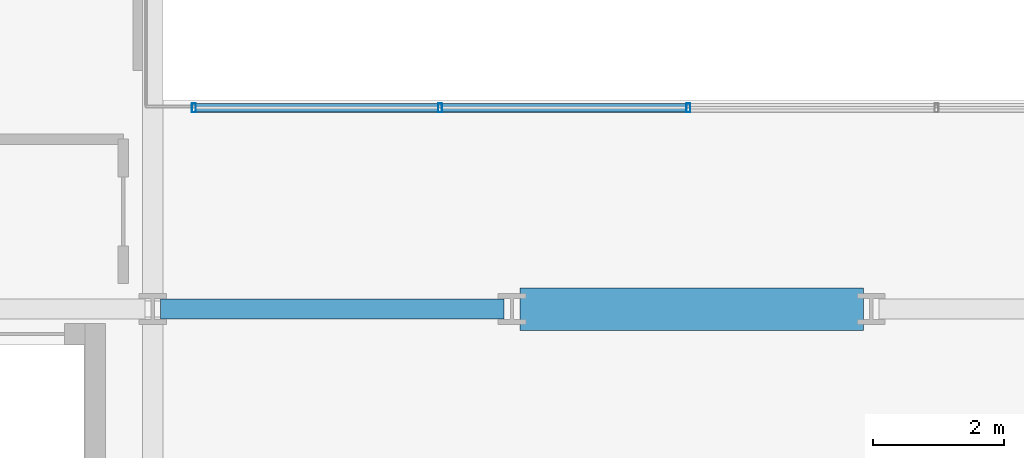
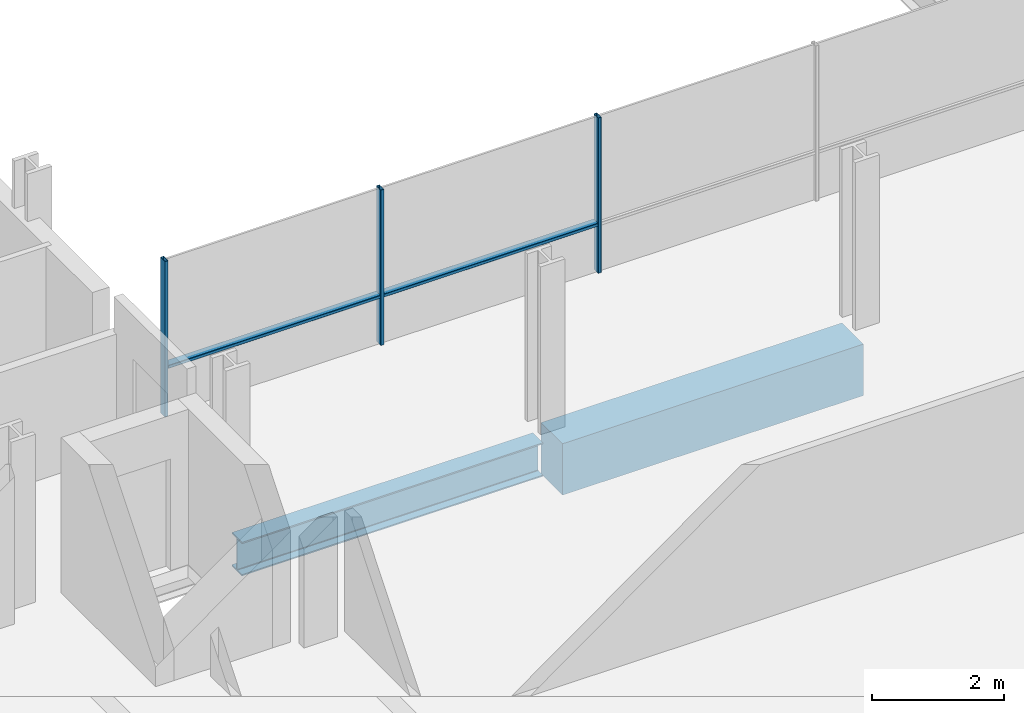
# One storey, part 4 of 38: 5 members, 2 beams, 1 element without a shape of its own.
"""IFC4 building model written with IfcOpenShell, lengths in metres."""

from ifc_helpers import new_model, si_unit, direction, frame, origin, origin_2d, place, context, subcontext, project, spatial, rectangle, hollow_rectangle, i_section, extrude, material, layer, layer_set, material_profile, profile_set, type_object, element, aggregate, save


model = new_model("IFC4")

# Units and contexts
model_context = context("Model", 3, precision=1e-05, world=origin(), true_north=direction((0.0, 1.0)))
body_context = subcontext(model_context, "Body", "Model", "MODEL_VIEW")
ifc_project = project(units=[si_unit("LENGTHUNIT", "METRE"), si_unit("AREAUNIT", "SQUARE_METRE"), si_unit("VOLUMEUNIT", "CUBIC_METRE"), si_unit("PLANEANGLEUNIT", "RADIAN"), si_unit("MASSUNIT", "GRAM", prefix="KILO")], contexts=[model_context])

# Site, building, storey
site_placement = place(None, origin())
site = spatial("IfcSite", under=ifc_project, at=site_placement, CompositionType="ELEMENT")
building_placement = place(site_placement, origin())
building = spatial("IfcBuilding", under=site, at=building_placement, Name="Brevholm Reach", CompositionType="ELEMENT")
storey_placement = place(building_placement, frame((0.0, 0.0, 46.60009765625)))
storey = spatial("IfcBuildingStorey", under=building, at=storey_placement, Name="L12", CompositionType="ELEMENT", Elevation=46.60009765625)

# Beams
ifc_material_1 = material(Name="Concrete C60/75", Category="concrete")
ifc_material_profile_1 = material_profile(ifc_material_1, rectangle(XDim=0.64990234375, YDim=0.949951171875, at=origin_2d()), Name="RC 650x950")
ifc_profile_set_1 = profile_set([ifc_material_profile_1], Name="Concrete C60/75")
beam_type_1 = type_object("IfcBeamType", Name="BM-CB650", PredefinedType="LINTEL", material=ifc_profile_set_1)
beam_1_placement = place(storey_placement, frame((27.3701171875, 10.0, -0.705078125), z_axis=(1.0, 0.0, 0.0), x_axis=(0.0, 1.0, 0.0)))
element("IfcBeam", 1, at=beam_1_placement, inside=storey, type_object=beam_type_1, Name="L12 CB-01 Framing Beam", PredefinedType="LINTEL", context=body_context, shape_type="SweptSolid", body=[
    extrude(rectangle(XDim=0.64990234375, YDim=0.949951171875, at=origin_2d()), origin(), (0.0, 0.0, 1.0), 5.259765625),
])
ifc_material_2 = material(Name="Structural Steel S355J2", Category="steel")
ifc_material_profile_2 = material_profile(ifc_material_2, i_section(OverallWidth=0.30712890625, OverallDepth=0.6201171875, WebThickness=0.01416015625, FlangeThickness=0.023681640625, FilletRadius=0.0166015625, at=origin_2d()), Name="UKB 610x305x179")
ifc_profile_set_2 = profile_set([ifc_material_profile_2], Name="Structural Steel S355J2")
beam_type_2 = type_object("IfcBeamType", Name="BM-UKB610H", PredefinedType="USERDEFINED", material=ifc_profile_set_2)
beam_2_placement = place(storey_placement, frame((21.8701171875, 10.0, -0.540283203125), z_axis=(1.0, 0.0, 0.0), x_axis=(0.0, 1.0, 0.0)))
element("IfcBeam", 2, at=beam_2_placement, inside=storey, type_object=beam_type_2, Name="L12 G-06 Framing Beam", ObjectType="GIRDER", PredefinedType="USERDEFINED", context=body_context, shape_type="SweptSolid", body=[
    extrude(i_section(OverallWidth=0.30712890625, OverallDepth=0.6201171875, WebThickness=0.01416015625, FlangeThickness=0.023681640625, FilletRadius=0.0166015625, at=origin_2d()), origin(), (0.0, 0.0, 1.0), 5.259765625),
])

# Curtain wall, members
ifc_material_3 = material(Name="Dark Anodised Aluminium 6063-T6 and Solar-Control Glass", Category="aluminium")
ifc_layer = layer(ifc_material_3, 0.139892578125)
ifc_layer_set = layer_set([ifc_layer], Name="Dark Anodised Aluminium 6063-T6 and Solar-Control Glass")
curtain_wall_type = type_object("IfcCurtainWallType", Name="CW-02", PredefinedType="NOTDEFINED", material=ifc_layer_set)
curtain_wall_placement = place(storey_placement, origin())
curtain_wall = element("IfcCurtainWall", 3, at=curtain_wall_placement, inside=storey, type_object=curtain_wall_type, Name="L12 Curtain Wall CW-02", PredefinedType="NOTDEFINED")
ifc_material_4 = material(Name="Dark Anodised Aluminium 6063-T6", Category="aluminium")
ifc_material_profile_3 = material_profile(ifc_material_4, hollow_rectangle(XDim=0.06005859375, YDim=0.139892578125, WallThickness=0.0048828125, InnerFilletRadius=0.0048828125, OuterFilletRadius=0.010009765625, at=origin_2d()), Name="RHS 140x60x5")
ifc_profile_set_3 = profile_set([ifc_material_profile_3], Name="Dark Anodised Aluminium 6063-T6")
member_type_1 = type_object("IfcMemberType", Name="CWM-140", PredefinedType="MULLION", material=ifc_profile_set_3)
member_1_placement = place(storey_placement, frame((22.3798828125, 13.080078125, 0.0), z_axis=(0.0, 0.0, 1.0), x_axis=(1.0, 0.0, 0.0)))
member_1 = element("IfcMember", 4, at=member_1_placement, type_object=member_type_1, Name="CM-140 Mullion 1", PredefinedType="MULLION", context=body_context, shape_type="SweptSolid", body=[
    extrude(hollow_rectangle(XDim=0.06005859375, YDim=0.139892578125, WallThickness=0.0048828125, InnerFilletRadius=0.0048828125, OuterFilletRadius=0.010009765625, at=origin_2d()), origin(), (0.0, 0.0, 1.0), 2.869873046875),
])
member_2_placement = place(storey_placement, frame((26.14990234375, 13.080078125, 0.0), z_axis=(0.0, 0.0, 1.0), x_axis=(1.0, 0.0, 0.0)))
member_2 = element("IfcMember", 5, at=member_2_placement, type_object=member_type_1, Name="CM-140 Mullion 2", PredefinedType="MULLION", context=body_context, shape_type="SweptSolid", body=[
    extrude(hollow_rectangle(XDim=0.06005859375, YDim=0.139892578125, WallThickness=0.0048828125, InnerFilletRadius=0.0048828125, OuterFilletRadius=0.010009765625, at=origin_2d()), origin(), (0.0, 0.0, 1.0), 2.869873046875),
])
member_3_placement = place(storey_placement, frame((29.949951171875, 13.080078125, 0.0), z_axis=(0.0, 0.0, 1.0), x_axis=(1.0, 0.0, 0.0)))
member_3 = element("IfcMember", 6, at=member_3_placement, type_object=member_type_1, Name="CM-140 Mullion 3", PredefinedType="MULLION", context=body_context, shape_type="SweptSolid", body=[
    extrude(hollow_rectangle(XDim=0.06005859375, YDim=0.139892578125, WallThickness=0.0048828125, InnerFilletRadius=0.0048828125, OuterFilletRadius=0.010009765625, at=origin_2d()), origin(), (0.0, 0.0, 1.0), 2.869873046875),
])
ifc_material_5 = material(Name="Dark Anodised Aluminium 6063-T6", Category="aluminium")
ifc_material_profile_4 = material_profile(ifc_material_5, hollow_rectangle(XDim=0.06005859375, YDim=0.139892578125, WallThickness=0.0048828125, InnerFilletRadius=0.0048828125, OuterFilletRadius=0.010009765625, at=origin_2d()), Name="RHS 140x60x5")
ifc_profile_set_4 = profile_set([ifc_material_profile_4], Name="Dark Anodised Aluminium 6063-T6")
member_type_2 = type_object("IfcMemberType", Name="CWT-140", PredefinedType="NOTDEFINED", material=ifc_profile_set_4)
member_4_placement = place(storey_placement, frame((22.409912109375, 13.080078125, 0.89990234375), z_axis=(1.0, 0.0, 0.0), x_axis=(0.0, 0.0, 1.0)))
member_4 = element("IfcMember", 7, at=member_4_placement, type_object=member_type_2, Name="CT-140 Transom 1.1", ObjectType="TRANSOM", PredefinedType="USERDEFINED", context=body_context, shape_type="SweptSolid", body=[
    extrude(hollow_rectangle(XDim=0.06005859375, YDim=0.139892578125, WallThickness=0.0048828125, InnerFilletRadius=0.0048828125, OuterFilletRadius=0.010009765625, at=origin_2d()), origin(), (0.0, 0.0, 1.0), 3.710205078125),
])
member_5_placement = place(storey_placement, frame((26.179931640625, 13.080078125, 0.89990234375), z_axis=(1.0, 0.0, 0.0), x_axis=(0.0, 0.0, 1.0)))
member_5 = element("IfcMember", 8, at=member_5_placement, type_object=member_type_2, Name="CT-140 Transom 2.1", ObjectType="TRANSOM", PredefinedType="USERDEFINED", context=body_context, shape_type="SweptSolid", body=[
    extrude(hollow_rectangle(XDim=0.06005859375, YDim=0.139892578125, WallThickness=0.0048828125, InnerFilletRadius=0.0048828125, OuterFilletRadius=0.010009765625, at=origin_2d()), origin(), (0.0, 0.0, 1.0), 3.739990234375),
])
aggregate(curtain_wall, [member_1, member_2, member_3, member_4, member_5])

save(model, "model.ifc")
